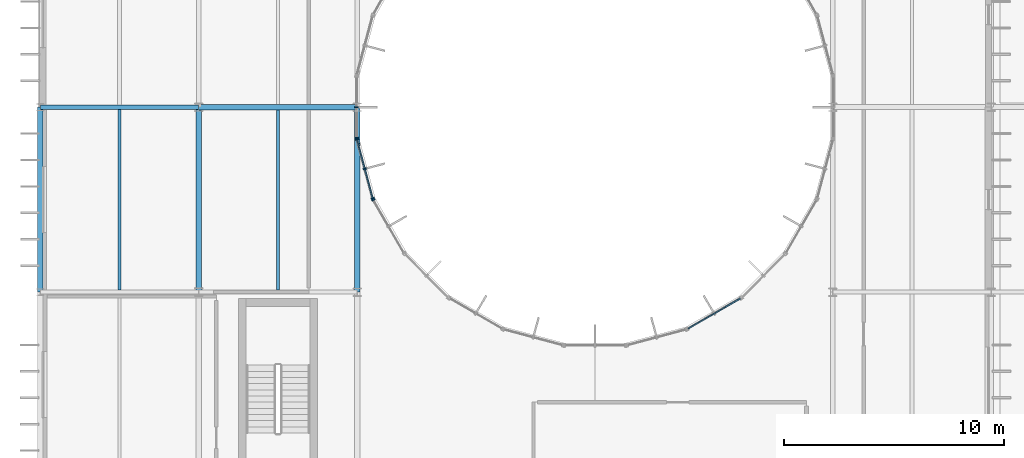
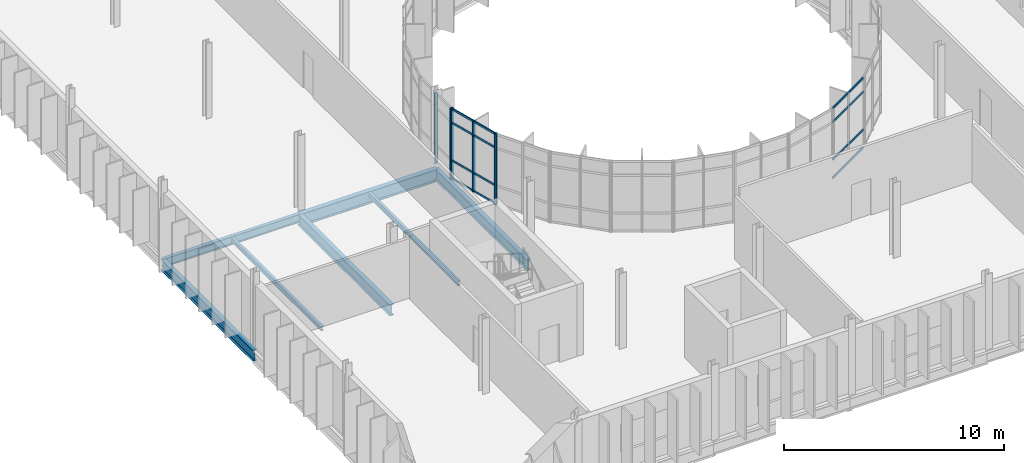
# One storey, part 38 of 99: 14 members, 7 beams, 4 elements without a shape of their own.
"""IFC4 building model written with IfcOpenShell, lengths in metres."""

from ifc_helpers import new_model, si_unit, direction, frame, origin, origin_2d, place, context, subcontext, project, spatial, rectangle, i_section, extrude, material, material_profile, profile_set, type_object, element, aggregate, save


model = new_model("IFC4")

# Units and contexts
model_context = context("Model", 3, precision=1e-05, world=origin(), true_north=direction((0.0, 1.0)))
body_context = subcontext(model_context, "Body", "Model", "MODEL_VIEW")
ifc_project = project(units=[si_unit("LENGTHUNIT", "METRE"), si_unit("AREAUNIT", "SQUARE_METRE"), si_unit("VOLUMEUNIT", "CUBIC_METRE"), si_unit("PLANEANGLEUNIT", "RADIAN"), si_unit("MASSUNIT", "GRAM", prefix="KILO")], contexts=[model_context])

# Site, building, storey
site_placement = place(None, origin())
site = spatial("IfcSite", under=ifc_project, at=site_placement, CompositionType="ELEMENT")
building_placement = place(site_placement, origin())
building = spatial("IfcBuilding", under=site, at=building_placement, Name="Qelthora Terrace Specialist Clinic", CompositionType="ELEMENT")
storey_placement = place(building_placement, frame((0.0, 0.0, 9.0)))
storey = spatial("IfcBuildingStorey", under=building, at=storey_placement, Name="L02", CompositionType="ELEMENT", Elevation=9.0)

# Beams
ifc_material_1 = material(Name="Steel S355", Category="steel")
ifc_material_profile_1 = material_profile(ifc_material_1, i_section(OverallWidth=0.22998046875, OverallDepth=0.616943359375, WebThickness=0.01318359375, FlangeThickness=0.022216796875, FilletRadius=0.01611328125, at=origin_2d()), Name="W610X140")
ifc_profile_set_1 = profile_set([ifc_material_profile_1], Name="Steel S355")
beam_type_1 = type_object("IfcBeamType", Name="BM-W610X140", PredefinedType="BEAM", material=ifc_profile_set_1)
for number, where, z_axis, x_axis, name in (
    (1, (0.0, 75.60009765625, -0.55859375), (0.0, 1.0, 0.0), (-1.0, 0.0, 0.0), "Girder BMY-L02-0744"),
    (2, (7.199951171875, 75.60009765625, -0.55859375), (0.0, 1.0, 0.0), (-1.0, 0.0, 0.0), "Girder BMY-L02-0754"),
    (3, (14.39990234375, 75.60009765625, -0.55859375), (0.0, 1.0, 0.0), (-1.0, 0.0, 0.0), "Girder BMY-L02-0764"),
):
    element("IfcBeam", number, at=place(storey_placement, frame(where, z_axis=z_axis, x_axis=x_axis)), inside=storey, type_object=beam_type_1, Name=name, PredefinedType="BEAM", context=body_context, shape_type="SweptSolid", body=[
        extrude(i_section(OverallWidth=0.22998046875, OverallDepth=0.616943359375, WebThickness=0.01318359375, FlangeThickness=0.022216796875, FilletRadius=0.01611328125, at=origin_2d()), origin(), (0.0, 0.0, 1.0), 8.39990234375),
    ])
ifc_material_profile_2 = material_profile(ifc_material_1, i_section(OverallWidth=0.25390625, OverallDepth=0.68798828125, WebThickness=0.01318359375, FlangeThickness=0.02099609375, FilletRadius=0.01806640625, at=origin_2d()), Name="W690X152")
ifc_profile_set_2 = profile_set([ifc_material_profile_2], Name="Steel S355")
beam_type_2 = type_object("IfcBeamType", Name="BM-W690X152", PredefinedType="BEAM", material=ifc_profile_set_2)
beam_1_placement = place(storey_placement, frame((7.199951171875, 84.0, -0.593994140625), z_axis=(1.0, 0.0, 0.0), x_axis=(0.0, 1.0, 0.0)))
element("IfcBeam", 4, at=beam_1_placement, inside=storey, type_object=beam_type_2, Name="Girder BMX-L02-0674", PredefinedType="BEAM", context=body_context, shape_type="SweptSolid", body=[
    extrude(i_section(OverallWidth=0.25390625, OverallDepth=0.68798828125, WebThickness=0.01318359375, FlangeThickness=0.02099609375, FilletRadius=0.01806640625, at=origin_2d()), origin(), (0.0, 0.0, 1.0), 7.199951171875),
])

# Curtain wall, members
ifc_material_2 = material(Name="Aluminium anodized bronze", Category="aluminium")
curtain_wall_type = type_object("IfcCurtainWallType", Name="CW-CRTW-UPP", PredefinedType="NOTDEFINED", material=ifc_material_2)
curtain_wall_1_placement = place(storey_placement, origin())
curtain_wall_1 = element("IfcCurtainWall", 5, at=curtain_wall_1_placement, inside=storey, type_object=curtain_wall_type, Name="Curtain wall CW-CW-L02-12", PredefinedType="NOTDEFINED")
ifc_material_profile_3 = material_profile(ifc_material_2, rectangle(XDim=0.06005859375, YDim=0.14990234375, at=origin_2d()), Name="CWM60X150")
ifc_profile_set_3 = profile_set([ifc_material_profile_3], Name="Aluminium anodized bronze")
member_type_1 = type_object("IfcMemberType", Name="CWM-60X150", PredefinedType="MULLION", material=ifc_profile_set_3)
member_1_placement = place(storey_placement, frame((14.372314453125, 84.0, 0.0), z_axis=(0.0, 0.0, 1.0), x_axis=(0.0, -1.0, 0.0)))
member_1 = element("IfcMember", 6, at=member_1_placement, type_object=member_type_1, Name="CW-CW-L02-12 mullion 2", PredefinedType="MULLION", context=body_context, shape_type="SweptSolid", body=[
    extrude(rectangle(XDim=0.06005859375, YDim=0.14990234375, at=origin_2d()), origin(), (0.0, 0.0, 1.0), 3.945068359375),
])
member_2_placement = place(storey_placement, frame((14.372314453125, 82.6103515625, 0.0), z_axis=(0.0, 0.0, 1.0), x_axis=(0.0, -1.0, 0.0)))
member_2 = element("IfcMember", 7, at=member_2_placement, type_object=member_type_1, Name="CW-CW-L02-12 mullion 3", PredefinedType="MULLION", context=body_context, shape_type="SweptSolid", body=[
    extrude(rectangle(XDim=0.06005859375, YDim=0.14990234375, at=origin_2d()), origin(), (0.0, 0.0, 1.0), 3.945068359375),
])
aggregate(curtain_wall_1, [member_1, member_2])

curtain_wall_2_placement = place(storey_placement, origin())
curtain_wall_2 = element("IfcCurtainWall", 8, at=curtain_wall_2_placement, inside=storey, type_object=curtain_wall_type, Name="Curtain wall CW-CW-L02-13", PredefinedType="NOTDEFINED")
member_3_placement = place(storey_placement, frame((14.381591796875, 82.5400390625, 0.0), z_axis=(0.0, 0.0, 1.0), x_axis=(0.258820356987, -0.96592547477, 0.0)))
member_3 = element("IfcMember", 9, at=member_3_placement, type_object=member_type_1, Name="CW-CW-L02-13 mullion 1", PredefinedType="MULLION", context=body_context, shape_type="SweptSolid", body=[
    extrude(rectangle(XDim=0.06005859375, YDim=0.14990234375, at=origin_2d()), origin(), (0.0, 0.0, 1.0), 3.945068359375),
])
member_4_placement = place(storey_placement, frame((14.7412109375, 81.197509765625, 0.0), z_axis=(0.0, 0.0, 1.0), x_axis=(0.258820356987, -0.96592547477, 0.0)))
member_4 = element("IfcMember", 10, at=member_4_placement, type_object=member_type_1, Name="CW-CW-L02-13 mullion 2", PredefinedType="MULLION", context=body_context, shape_type="SweptSolid", body=[
    extrude(rectangle(XDim=0.06005859375, YDim=0.14990234375, at=origin_2d()), origin(), (0.0, 0.0, 1.0), 3.945068359375),
])
member_5_placement = place(storey_placement, frame((15.10107421875, 79.855224609375, 0.0), z_axis=(0.0, 0.0, 1.0), x_axis=(0.258820356987, -0.96592547477, 0.0)))
member_5 = element("IfcMember", 11, at=member_5_placement, type_object=member_type_1, Name="CW-CW-L02-13 mullion 3", PredefinedType="MULLION", context=body_context, shape_type="SweptSolid", body=[
    extrude(rectangle(XDim=0.06005859375, YDim=0.14990234375, at=origin_2d()), origin(), (0.0, 0.0, 1.0), 3.945068359375),
])

# Curtain wall, member
curtain_wall_3_placement = place(storey_placement, origin())
curtain_wall_3 = element("IfcCurtainWall", 12, at=curtain_wall_3_placement, inside=storey, type_object=curtain_wall_type, Name="Curtain wall CW-CW-L02-14", PredefinedType="NOTDEFINED")
member_6_placement = place(storey_placement, frame((15.128173828125, 79.789794921875, 0.0), z_axis=(0.0, 0.0, 1.0), x_axis=(0.499999597971, -0.866025635896, 0.0)))
member_6 = element("IfcMember", 13, at=member_6_placement, type_object=member_type_1, Name="CW-CW-L02-14 mullion 1", PredefinedType="MULLION", context=body_context, shape_type="SweptSolid", body=[
    extrude(rectangle(XDim=0.06005859375, YDim=0.14990234375, at=origin_2d()), origin(), (0.0, 0.0, 1.0), 3.945068359375),
])
aggregate(curtain_wall_3, [member_6])

# Member
ifc_material_profile_4 = material_profile(ifc_material_2, rectangle(XDim=0.06005859375, YDim=0.110107421875, at=origin_2d()), Name="CWT60X110")
ifc_profile_set_4 = profile_set([ifc_material_profile_4], Name="Aluminium anodized bronze")
member_type_2 = type_object("IfcMemberType", Name="CWT-60X110", PredefinedType="USERDEFINED", material=ifc_profile_set_4)
member_7_placement = place(storey_placement, frame((14.38671875, 82.5205078125, 0.0400390625), z_axis=(0.258899423253, -0.965904285444, 0.0), x_axis=(0.965904285444, 0.258899423253, 0.0)))
member_7 = element("IfcMember", 14, at=member_7_placement, type_object=member_type_2, Name="CW-CW-L02-13 transom 1", ObjectType="TRANSOM", PredefinedType="USERDEFINED", context=body_context, shape_type="SweptSolid", body=[
    extrude(rectangle(XDim=0.06005859375, YDim=0.110107421875, at=origin_2d()), origin(), (0.0, 0.0, 1.0), 2.739501953125),
])

member_8_placement = place(storey_placement, frame((14.38671875, 82.5205078125, 1.050048828125), z_axis=(0.258899423253, -0.965904285444, 0.0), x_axis=(0.965904285444, 0.258899423253, 0.0)))
member_8 = element("IfcMember", 15, at=member_8_placement, type_object=member_type_2, Name="CW-CW-L02-13 transom 2", ObjectType="TRANSOM", PredefinedType="USERDEFINED", context=body_context, shape_type="SweptSolid", body=[
    extrude(rectangle(XDim=0.06005859375, YDim=0.110107421875, at=origin_2d()), origin(), (0.0, 0.0, 1.0), 2.739501953125),
])

member_9_placement = place(storey_placement, frame((14.38671875, 82.5205078125, 3.14501953125), z_axis=(0.258899423253, -0.965904285444, 0.0), x_axis=(0.965904285444, 0.258899423253, 0.0)))
member_9 = element("IfcMember", 16, at=member_9_placement, type_object=member_type_2, Name="CW-CW-L02-13 transom 3", ObjectType="TRANSOM", PredefinedType="USERDEFINED", context=body_context, shape_type="SweptSolid", body=[
    extrude(rectangle(XDim=0.06005859375, YDim=0.110107421875, at=origin_2d()), origin(), (0.0, 0.0, 1.0), 2.739501953125),
])

member_10_placement = place(storey_placement, frame((14.38671875, 82.5205078125, 3.905029296875), z_axis=(0.258899423253, -0.965904285444, 0.0), x_axis=(0.965904285444, 0.258899423253, 0.0)))
member_10 = element("IfcMember", 17, at=member_10_placement, type_object=member_type_2, Name="CW-CW-L02-13 transom 4", ObjectType="TRANSOM", PredefinedType="USERDEFINED", context=body_context, shape_type="SweptSolid", body=[
    extrude(rectangle(XDim=0.06005859375, YDim=0.110107421875, at=origin_2d()), origin(), (0.0, 0.0, 1.0), 2.739501953125),
])

aggregate(curtain_wall_2, [member_3, member_4, member_5, member_7, member_8, member_9, member_10])

# Curtain wall, members
curtain_wall_4_placement = place(storey_placement, origin())
curtain_wall_4 = element("IfcCurtainWall", 18, at=curtain_wall_4_placement, inside=storey, type_object=curtain_wall_type, Name="Curtain wall CW-CW-L02-20", PredefinedType="NOTDEFINED")
member_11_placement = place(storey_placement, frame((29.427734375, 73.938232421875, 0.0400390625), z_axis=(0.866029747927, 0.499992475648, 0.0), x_axis=(-0.499992475648, 0.866029747927, 0.0)))
member_11 = element("IfcMember", 19, at=member_11_placement, type_object=member_type_2, Name="CW-CW-L02-20 transom 1", ObjectType="TRANSOM", PredefinedType="USERDEFINED", context=body_context, shape_type="SweptSolid", body=[
    extrude(rectangle(XDim=0.06005859375, YDim=0.110107421875, at=origin_2d()), origin(), (0.0, 0.0, 1.0), 2.7392578125),
])
member_12_placement = place(storey_placement, frame((29.427734375, 73.938232421875, 1.050048828125), z_axis=(0.866029747927, 0.499992475648, 0.0), x_axis=(-0.499992475648, 0.866029747927, 0.0)))
member_12 = element("IfcMember", 20, at=member_12_placement, type_object=member_type_2, Name="CW-CW-L02-20 transom 2", ObjectType="TRANSOM", PredefinedType="USERDEFINED", context=body_context, shape_type="SweptSolid", body=[
    extrude(rectangle(XDim=0.06005859375, YDim=0.110107421875, at=origin_2d()), origin(), (0.0, 0.0, 1.0), 2.7392578125),
])
member_13_placement = place(storey_placement, frame((29.427734375, 73.938232421875, 3.14501953125), z_axis=(0.866029747927, 0.499992475648, 0.0), x_axis=(-0.499992475648, 0.866029747927, 0.0)))
member_13 = element("IfcMember", 21, at=member_13_placement, type_object=member_type_2, Name="CW-CW-L02-20 transom 3", ObjectType="TRANSOM", PredefinedType="USERDEFINED", context=body_context, shape_type="SweptSolid", body=[
    extrude(rectangle(XDim=0.06005859375, YDim=0.110107421875, at=origin_2d()), origin(), (0.0, 0.0, 1.0), 2.7392578125),
])
member_14_placement = place(storey_placement, frame((29.427734375, 73.938232421875, 3.905029296875), z_axis=(0.866029747927, 0.499992475648, 0.0), x_axis=(-0.499992475648, 0.866029747927, 0.0)))
member_14 = element("IfcMember", 22, at=member_14_placement, type_object=member_type_2, Name="CW-CW-L02-20 transom 4", ObjectType="TRANSOM", PredefinedType="USERDEFINED", context=body_context, shape_type="SweptSolid", body=[
    extrude(rectangle(XDim=0.06005859375, YDim=0.110107421875, at=origin_2d()), origin(), (0.0, 0.0, 1.0), 2.7392578125),
])
aggregate(curtain_wall_4, [member_11, member_12, member_13, member_14])

# Beams
ifc_material_profile_5 = material_profile(ifc_material_1, i_section(OverallWidth=0.14599609375, OverallDepth=0.258056640625, WebThickness=0.006103515625, FlangeThickness=0.009033203125, FilletRadius=0.009033203125, at=origin_2d()), Name="W250X33")
ifc_profile_set_5 = profile_set([ifc_material_profile_5], Name="Steel S355")
beam_type_3 = type_object("IfcBeamType", Name="JST-W250X33", PredefinedType="JOIST", material=ifc_profile_set_5)
beam_2_placement = place(storey_placement, frame((3.60009765625, 75.695556640625, -0.37890625), z_axis=(0.0, 1.0, 0.0), x_axis=(-1.0, 0.0, 0.0)))
element("IfcBeam", 23, at=beam_2_placement, inside=storey, type_object=beam_type_3, Name="Composite floor joist JST-L02-0150", PredefinedType="JOIST", context=body_context, shape_type="SweptSolid", body=[
    extrude(i_section(OverallWidth=0.14599609375, OverallDepth=0.258056640625, WebThickness=0.006103515625, FlangeThickness=0.009033203125, FilletRadius=0.009033203125, at=origin_2d()), origin(), (0.0, 0.0, 1.0), 8.208984375),
])
ifc_material_profile_6 = material_profile(ifc_material_1, i_section(OverallWidth=0.14697265625, OverallDepth=0.261962890625, WebThickness=0.006591796875, FlangeThickness=0.01123046875, FilletRadius=0.009033203125, at=origin_2d()), Name="W250X39")
ifc_profile_set_6 = profile_set([ifc_material_profile_6], Name="Steel S355")
beam_type_4 = type_object("IfcBeamType", Name="JST-W250X39", PredefinedType="JOIST", material=ifc_profile_set_6)
beam_3_placement = place(storey_placement, frame((10.800048828125, 75.695556640625, -0.381103515625), z_axis=(0.0, 1.0, 0.0), x_axis=(-1.0, 0.0, 0.0)))
element("IfcBeam", 24, at=beam_3_placement, inside=storey, type_object=beam_type_4, Name="Composite floor joist JST-L02-0155", PredefinedType="JOIST", context=body_context, shape_type="SweptSolid", body=[
    extrude(i_section(OverallWidth=0.14697265625, OverallDepth=0.261962890625, WebThickness=0.006591796875, FlangeThickness=0.01123046875, FilletRadius=0.009033203125, at=origin_2d()), origin(), (0.0, 0.0, 1.0), 8.177490234375),
])
ifc_material_profile_7 = material_profile(ifc_material_1, i_section(OverallWidth=0.19091796875, OverallDepth=0.4599609375, WebThickness=0.010009765625, FlangeThickness=0.01611328125, FilletRadius=0.012939453125, at=origin_2d()), Name="W460X82")
ifc_profile_set_7 = profile_set([ifc_material_profile_7], Name="Steel S355")
beam_type_5 = type_object("IfcBeamType", Name="SPD-W460X82", PredefinedType="SPANDREL", material=ifc_profile_set_7)
beam_4_placement = place(storey_placement, frame((0.0, 84.0, -0.47998046875), z_axis=(1.0, 0.0, 0.0), x_axis=(0.0, 1.0, 0.0)))
element("IfcBeam", 25, at=beam_4_placement, inside=storey, type_object=beam_type_5, Name="Girder BMX-L02-0673", PredefinedType="SPANDREL", context=body_context, shape_type="SweptSolid", body=[
    extrude(i_section(OverallWidth=0.19091796875, OverallDepth=0.4599609375, WebThickness=0.010009765625, FlangeThickness=0.01611328125, FilletRadius=0.012939453125, at=origin_2d()), origin(), (0.0, 0.0, 1.0), 7.199951171875),
])

save(model, "model.ifc")
